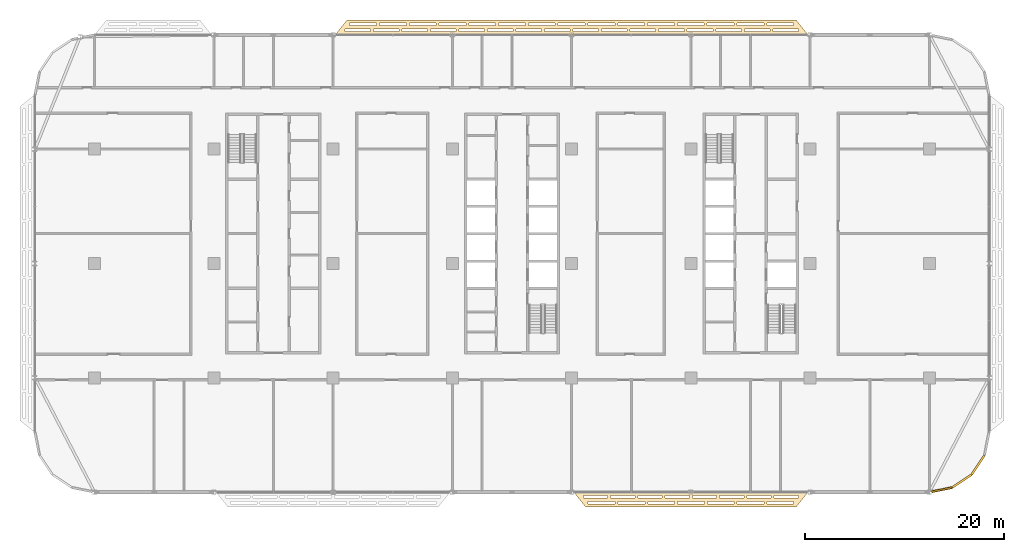
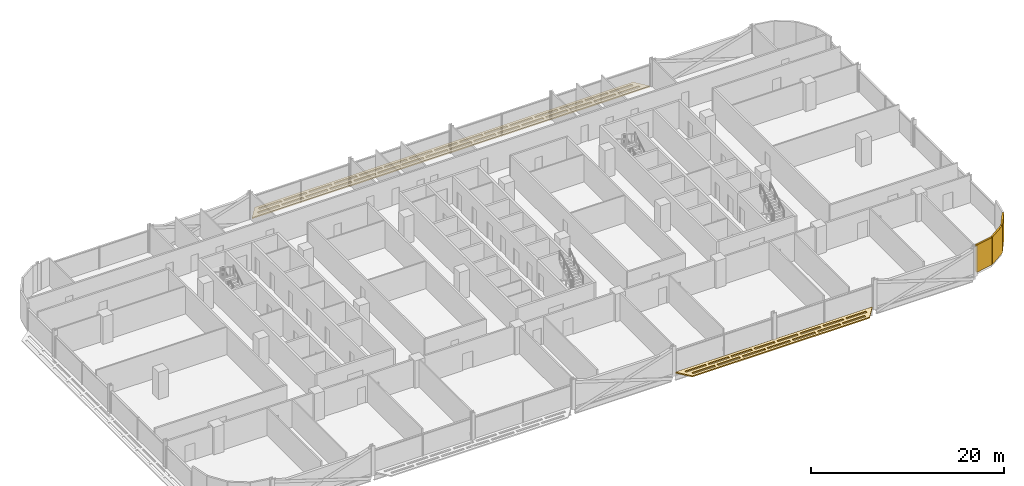
# One storey, part 25 of 27: 5 coverings.
"""IFC4 building model written with IfcOpenShell, lengths in metres."""

from ifc_helpers import new_model, si_unit, direction, frame, origin, origin_2d, place, context, subcontext, project, spatial, polyline, rectangle, outline, extrude, material, layer, layer_set, type_object, element, save


model = new_model("IFC4")

# Units and contexts
model_context = context("Model", 3, precision=1e-05, world=origin(), true_north=direction((0.0, 1.0)))
body_context = subcontext(model_context, "Body", "Model", "MODEL_VIEW")
ifc_project = project(units=[si_unit("LENGTHUNIT", "METRE"), si_unit("AREAUNIT", "SQUARE_METRE"), si_unit("VOLUMEUNIT", "CUBIC_METRE"), si_unit("PLANEANGLEUNIT", "RADIAN"), si_unit("MASSUNIT", "GRAM", prefix="KILO")], contexts=[model_context])

# Site, building, storey
site_placement = place(None, origin())
site = spatial("IfcSite", under=ifc_project, at=site_placement, CompositionType="ELEMENT")
building_placement = place(site_placement, origin())
building = spatial("IfcBuilding", under=site, at=building_placement, Name="Mahtab Terrace Research Tower", CompositionType="ELEMENT")
storey_placement = place(building_placement, frame((0.0, 0.0, 163.0)))
storey = spatial("IfcBuildingStorey", under=building, at=storey_placement, Name="L38", CompositionType="ELEMENT", Elevation=163.0)

# Coverings
ifc_material_1 = material(Name="Black aluminium cladding panel", Category="aluminium")
ifc_layer_1 = layer(ifc_material_1, 0.199951171875)
ifc_layer_set_1 = layer_set([ifc_layer_1], Name="Black metal corner cladding 200")
covering_type_1 = type_object("IfcCoveringType", Name="Black metal corner cladding 200", PredefinedType="CLADDING", material=ifc_layer_set_1)
covering_1_placement = place(storey_placement, frame((43.25830078125, -22.74951171875, 0.0), z_axis=(0.0, 0.0, 1.0), x_axis=(0.980760981187, 0.195212442692, 0.0)))
element("IfcCovering", 1, at=covering_1_placement, inside=storey, type_object=covering_type_1, Name="Corner cladding L38 30", PredefinedType="CLADDING", context=body_context, shape_type="SweptSolid", body=[
    extrude(rectangle(XDim=2.07666015625, YDim=0.199951171875, at=origin_2d()), origin(), (0.0, 0.0, 1.0), 3.4599609375),
])
for number, where, z_axis, x_axis, name in (
    (2, (45.26953125, -21.89306640625, 0.0), (0.0, 0.0, 1.0), (0.831655794326, 0.555291490808, 0.0), "Corner cladding L38 31"),
    (3, (46.89306640625, -20.26953125, 0.0), (0.0, 0.0, 1.0), (0.555291490808, 0.831655794326, 0.0), "Corner cladding L38 32"),
):
    element("IfcCovering", number, at=place(storey_placement, frame(where, z_axis=z_axis, x_axis=x_axis)), inside=storey, type_object=covering_type_1, Name=name, PredefinedType="CLADDING", context=body_context, shape_type="SweptSolid", body=[
        extrude(rectangle(XDim=2.30126953125, YDim=0.199951171875, at=origin_2d()), origin(), (0.0, 0.0, 1.0), 3.4599609375),
    ])
ifc_material_2 = material(Name="Black anodised aluminium", Category="aluminium")
ifc_layer_2 = layer(ifc_material_2, 0.14990234375)
ifc_layer_set_2 = layer_set([ifc_layer_2], Name="Horizontal sunshade band")
covering_type_2 = type_object("IfcCoveringType", Name="Horizontal sunshade band", PredefinedType="CLADDING", material=ifc_layer_set_2)
covering_2_placement = place(storey_placement, frame((0.0, 0.0, -0.14990234375)))
element("IfcCovering", 4, at=covering_2_placement, inside=storey, type_object=covering_type_2, Name="Sunshade band L38 4", PredefinedType="CLADDING", context=body_context, shape_type="SweptSolid", body=[
    extrude(outline(polyline([(29.7919921875, 23.0), (-17.7919921875, 23.0), (-16.592041015625, 24.5), (28.592041015625, 24.5), (29.7919921875, 23.0)]), holes=[polyline([(28.81201171875, 23.35009765625), (26.241943359375, 23.35009765625), (26.241943359375, 23.60009765625), (28.81201171875, 23.60009765625), (28.81201171875, 23.35009765625)]), polyline([(25.94189453125, 23.35009765625), (23.37109375, 23.35009765625), (23.37109375, 23.60009765625), (25.94189453125, 23.60009765625), (25.94189453125, 23.35009765625)]), polyline([(23.072021484375, 23.35009765625), (20.5009765625, 23.35009765625), (20.5009765625, 23.60009765625), (23.072021484375, 23.60009765625), (23.072021484375, 23.35009765625)]), polyline([(20.200927734375, 23.35009765625), (17.631103515625, 23.35009765625), (17.631103515625, 23.60009765625), (20.200927734375, 23.60009765625), (20.200927734375, 23.35009765625)]), polyline([(17.3310546875, 23.35009765625), (14.760986328125, 23.35009765625), (14.760986328125, 23.60009765625), (17.3310546875, 23.60009765625), (17.3310546875, 23.35009765625)]), polyline([(14.4609375, 23.35009765625), (11.889892578125, 23.35009765625), (11.889892578125, 23.60009765625), (14.4609375, 23.60009765625), (14.4609375, 23.35009765625)]), polyline([(11.590087890625, 23.35009765625), (9.02001953125, 23.35009765625), (9.02001953125, 23.60009765625), (11.590087890625, 23.60009765625), (11.590087890625, 23.35009765625)]), polyline([(8.719970703125, 23.35009765625), (6.14990234375, 23.35009765625), (6.14990234375, 23.60009765625), (8.719970703125, 23.60009765625), (8.719970703125, 23.35009765625)]), polyline([(5.85009765625, 23.35009765625), (3.280029296875, 23.35009765625), (3.280029296875, 23.60009765625), (5.85009765625, 23.60009765625), (5.85009765625, 23.35009765625)]), polyline([(2.97998046875, 23.35009765625), (0.408935546875, 23.35009765625), (0.408935546875, 23.60009765625), (2.97998046875, 23.60009765625), (2.97998046875, 23.35009765625)]), polyline([(0.10888671875, 23.35009765625), (-2.4609375, 23.35009765625), (-2.4609375, 23.60009765625), (0.10888671875, 23.60009765625), (0.10888671875, 23.35009765625)]), polyline([(-2.760986328125, 23.35009765625), (-5.3310546875, 23.35009765625), (-5.3310546875, 23.60009765625), (-2.760986328125, 23.60009765625), (-2.760986328125, 23.35009765625)]), polyline([(-5.631103515625, 23.35009765625), (-8.200927734375, 23.35009765625), (-8.200927734375, 23.60009765625), (-5.631103515625, 23.60009765625), (-5.631103515625, 23.35009765625)]), polyline([(-8.5009765625, 23.35009765625), (-11.072021484375, 23.35009765625), (-11.072021484375, 23.60009765625), (-8.5009765625, 23.60009765625), (-8.5009765625, 23.35009765625)]), polyline([(-11.3720703125, 23.35009765625), (-13.94189453125, 23.35009765625), (-13.94189453125, 23.60009765625), (-11.3720703125, 23.60009765625), (-11.3720703125, 23.35009765625)]), polyline([(-14.241943359375, 23.35009765625), (-16.81201171875, 23.35009765625), (-16.81201171875, 23.60009765625), (-14.241943359375, 23.60009765625), (-14.241943359375, 23.35009765625)]), polyline([(28.33203125, 23.949951171875), (25.634033203125, 23.949951171875), (25.634033203125, 24.199951171875), (28.33203125, 24.199951171875), (28.33203125, 23.949951171875)]), polyline([(25.333984375, 23.949951171875), (22.636962890625, 23.949951171875), (22.636962890625, 24.199951171875), (25.333984375, 24.199951171875), (25.333984375, 23.949951171875)]), polyline([(22.3369140625, 23.949951171875), (19.638916015625, 23.949951171875), (19.638916015625, 24.199951171875), (22.3369140625, 24.199951171875), (22.3369140625, 23.949951171875)]), polyline([(19.339111328125, 23.949951171875), (16.64208984375, 23.949951171875), (16.64208984375, 24.199951171875), (19.339111328125, 24.199951171875), (19.339111328125, 23.949951171875)]), polyline([(16.342041015625, 23.949951171875), (13.64404296875, 23.949951171875), (13.64404296875, 24.199951171875), (16.342041015625, 24.199951171875), (16.342041015625, 23.949951171875)]), polyline([(13.343994140625, 23.949951171875), (10.64599609375, 23.949951171875), (10.64599609375, 24.199951171875), (13.343994140625, 24.199951171875), (13.343994140625, 23.949951171875)]), polyline([(10.345947265625, 23.949951171875), (7.64892578125, 23.949951171875), (7.64892578125, 24.199951171875), (10.345947265625, 24.199951171875), (10.345947265625, 23.949951171875)]), polyline([(7.34912109375, 23.949951171875), (4.65087890625, 23.949951171875), (4.65087890625, 24.199951171875), (7.34912109375, 24.199951171875), (7.34912109375, 23.949951171875)]), polyline([(4.35107421875, 23.949951171875), (1.654052734375, 23.949951171875), (1.654052734375, 24.199951171875), (4.35107421875, 24.199951171875), (4.35107421875, 23.949951171875)]), polyline([(1.35400390625, 23.949951171875), (-1.343994140625, 23.949951171875), (-1.343994140625, 24.199951171875), (1.35400390625, 24.199951171875), (1.35400390625, 23.949951171875)]), polyline([(-1.64404296875, 23.949951171875), (-4.342041015625, 23.949951171875), (-4.342041015625, 24.199951171875), (-1.64404296875, 24.199951171875), (-1.64404296875, 23.949951171875)]), polyline([(-4.64208984375, 23.949951171875), (-7.339111328125, 23.949951171875), (-7.339111328125, 24.199951171875), (-4.64208984375, 24.199951171875), (-4.64208984375, 23.949951171875)]), polyline([(-7.638916015625, 23.949951171875), (-10.3369140625, 23.949951171875), (-10.3369140625, 24.199951171875), (-7.638916015625, 24.199951171875), (-7.638916015625, 23.949951171875)]), polyline([(-10.636962890625, 23.949951171875), (-13.333984375, 23.949951171875), (-13.333984375, 24.199951171875), (-10.636962890625, 24.199951171875), (-10.636962890625, 23.949951171875)]), polyline([(-13.634033203125, 23.949951171875), (-16.33203125, 23.949951171875), (-16.33203125, 24.199951171875), (-13.634033203125, 24.199951171875), (-13.634033203125, 23.949951171875)])]), origin(), (0.0, 0.0, 1.0), 0.14990234375),
])
covering_3_placement = place(storey_placement, frame((0.0, 0.0, -0.14990234375)))
element("IfcCovering", 5, at=covering_3_placement, inside=storey, type_object=covering_type_2, Name="Sunshade band L38 27", PredefinedType="CLADDING", context=body_context, shape_type="SweptSolid", body=[
    extrude(outline(polyline([(6.2080078125, -23.0), (29.7919921875, -23.0), (28.592041015625, -24.5), (7.407958984375, -24.5), (6.2080078125, -23.0)]), holes=[polyline([(7.18798828125, -23.35009765625), (9.6279296875, -23.35009765625), (9.6279296875, -23.60009765625), (7.18798828125, -23.60009765625), (7.18798828125, -23.35009765625)]), polyline([(9.927978515625, -23.35009765625), (12.368896484375, -23.35009765625), (12.368896484375, -23.60009765625), (9.927978515625, -23.60009765625), (9.927978515625, -23.35009765625)]), polyline([(12.6689453125, -23.35009765625), (15.10888671875, -23.35009765625), (15.10888671875, -23.60009765625), (12.6689453125, -23.60009765625), (12.6689453125, -23.35009765625)]), polyline([(15.408935546875, -23.35009765625), (17.85009765625, -23.35009765625), (17.85009765625, -23.60009765625), (15.408935546875, -23.60009765625), (15.408935546875, -23.35009765625)]), polyline([(18.14990234375, -23.35009765625), (20.590087890625, -23.35009765625), (20.590087890625, -23.60009765625), (18.14990234375, -23.60009765625), (18.14990234375, -23.35009765625)]), polyline([(20.889892578125, -23.35009765625), (23.3310546875, -23.35009765625), (23.3310546875, -23.60009765625), (20.889892578125, -23.60009765625), (20.889892578125, -23.35009765625)]), polyline([(23.631103515625, -23.35009765625), (26.072021484375, -23.35009765625), (26.072021484375, -23.60009765625), (23.631103515625, -23.60009765625), (23.631103515625, -23.35009765625)]), polyline([(26.37109375, -23.35009765625), (28.81201171875, -23.35009765625), (28.81201171875, -23.60009765625), (26.37109375, -23.60009765625), (26.37109375, -23.35009765625)]), polyline([(7.66796875, -23.949951171875), (10.363037109375, -23.949951171875), (10.363037109375, -24.199951171875), (7.66796875, -24.199951171875), (7.66796875, -23.949951171875)]), polyline([(10.6630859375, -23.949951171875), (13.35791015625, -23.949951171875), (13.35791015625, -24.199951171875), (10.6630859375, -24.199951171875), (10.6630859375, -23.949951171875)]), polyline([(13.657958984375, -23.949951171875), (16.35302734375, -23.949951171875), (16.35302734375, -24.199951171875), (13.657958984375, -24.199951171875), (13.657958984375, -23.949951171875)]), polyline([(16.653076171875, -23.949951171875), (19.346923828125, -23.949951171875), (19.346923828125, -24.199951171875), (16.653076171875, -24.199951171875), (16.653076171875, -23.949951171875)]), polyline([(19.64697265625, -23.949951171875), (22.342041015625, -23.949951171875), (22.342041015625, -24.199951171875), (19.64697265625, -24.199951171875), (19.64697265625, -23.949951171875)]), polyline([(22.64208984375, -23.949951171875), (25.3369140625, -23.949951171875), (25.3369140625, -24.199951171875), (22.64208984375, -24.199951171875), (22.64208984375, -23.949951171875)]), polyline([(25.636962890625, -23.949951171875), (28.33203125, -23.949951171875), (28.33203125, -24.199951171875), (25.636962890625, -24.199951171875), (25.636962890625, -23.949951171875)])]), origin(), (0.0, 0.0, 1.0), 0.14990234375),
])

save(model, "model.ifc")
